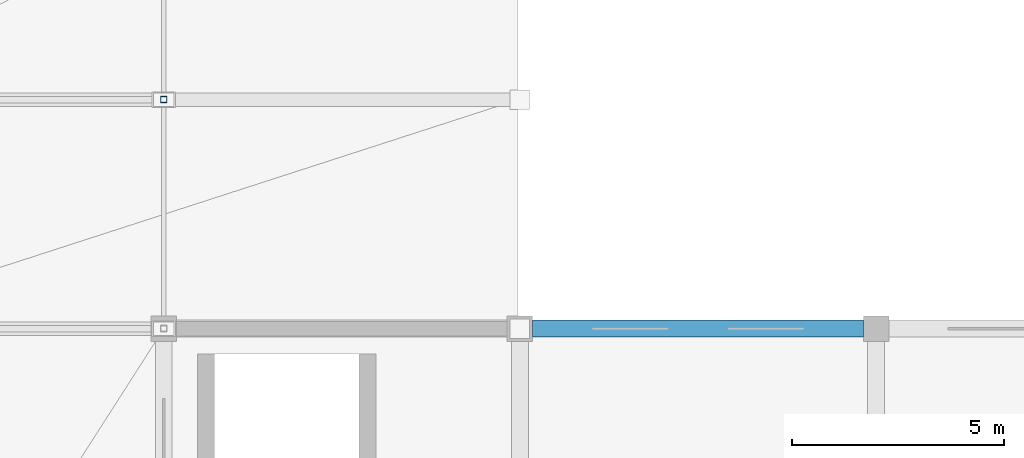
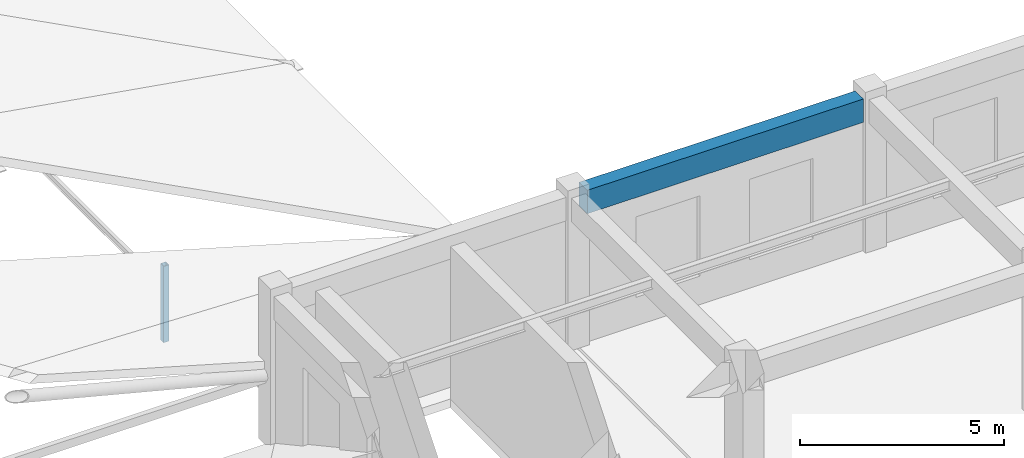
# One storey, part 20 of 76: 1 beam, 1 member.
"""IFC4 building model written with IfcOpenShell, lengths in metres."""

from ifc_helpers import new_model, si_unit, direction, frame, origin, origin_2d, place, context, subcontext, project, spatial, rectangle, hollow_rectangle, extrude, material, material_profile, profile_set, type_object, element, save


model = new_model("IFC4")

# Units and contexts
model_context = context("Model", 3, precision=1e-05, world=origin(), true_north=direction((0.0, 1.0)))
body_context = subcontext(model_context, "Body", "Model", "MODEL_VIEW")
ifc_project = project(units=[si_unit("LENGTHUNIT", "METRE"), si_unit("AREAUNIT", "SQUARE_METRE"), si_unit("VOLUMEUNIT", "CUBIC_METRE"), si_unit("PLANEANGLEUNIT", "RADIAN"), si_unit("MASSUNIT", "GRAM", prefix="KILO")], contexts=[model_context])

# Site, building, storey
site_placement = place(None, origin())
site = spatial("IfcSite", under=ifc_project, at=site_placement, CompositionType="ELEMENT")
building_placement = place(site_placement, origin())
building = spatial("IfcBuilding", under=site, at=building_placement, Name="Krzemoval Escarpment Law Courts", CompositionType="ELEMENT")
storey_placement = place(building_placement, frame((0.0, 0.0, 20.39990234375)))
storey = spatial("IfcBuildingStorey", under=building, at=storey_placement, Name="L04", CompositionType="ELEMENT", Elevation=20.39990234375)

# Beam
ifc_material_1 = material(Name="Concrete C40/50", Category="concrete")
ifc_material_profile_1 = material_profile(ifc_material_1, rectangle(XDim=0.39990234375, YDim=0.699951171875, at=origin_2d()), Name="RCB 400x700")
ifc_profile_set_1 = profile_set([ifc_material_profile_1], Name="Concrete C40/50")
beam_type = type_object("IfcBeamType", Name="BM-RC-400x700", PredefinedType="BEAM", material=ifc_profile_set_1)
beam_placement = place(storey_placement, frame((42.300048828125, 35.39990234375, 4.2001953125), z_axis=(1.0, 0.0, 0.0), x_axis=(0.0, 1.0, 0.0)))
element("IfcBeam", 1, at=beam_placement, inside=storey, type_object=beam_type, Name="Beam FG-L04-2445", PredefinedType="BEAM", context=body_context, shape_type="SweptSolid", body=[
    extrude(rectangle(XDim=0.39990234375, YDim=0.699951171875, at=origin_2d()), origin(), (0.0, 0.0, 1.0), 7.800048828125),
])

# Member
ifc_material_2 = material(Name="Steel S355", Category="steel")
ifc_material_profile_2 = material_profile(ifc_material_2, hollow_rectangle(XDim=0.14990234375, YDim=0.14990234375, WallThickness=0.008056640625, at=origin_2d()), Name="SHS 150x150x8")
ifc_profile_set_2 = profile_set([ifc_material_profile_2], Name="Steel S355")
member_type = type_object("IfcMemberType", Name="MBR-STR-SHS150", PredefinedType="STRUT", material=ifc_profile_set_2)
member_placement = place(storey_placement, frame((33.60009765625, 40.800048828125, -0.27978515625), z_axis=(0.0, 0.0, 1.0), x_axis=(1.0, 0.0, 0.0)))
element("IfcMember", 2, at=member_placement, inside=storey, type_object=member_type, Name="Roof Truss Web Strut ST-0009", PredefinedType="STRUT", context=body_context, shape_type="SweptSolid", body=[
    extrude(hollow_rectangle(XDim=0.14990234375, YDim=0.14990234375, WallThickness=0.008056640625, at=origin_2d()), origin(), (0.0, 0.0, 1.0), 2.27978515625),
])

save(model, "model.ifc")
